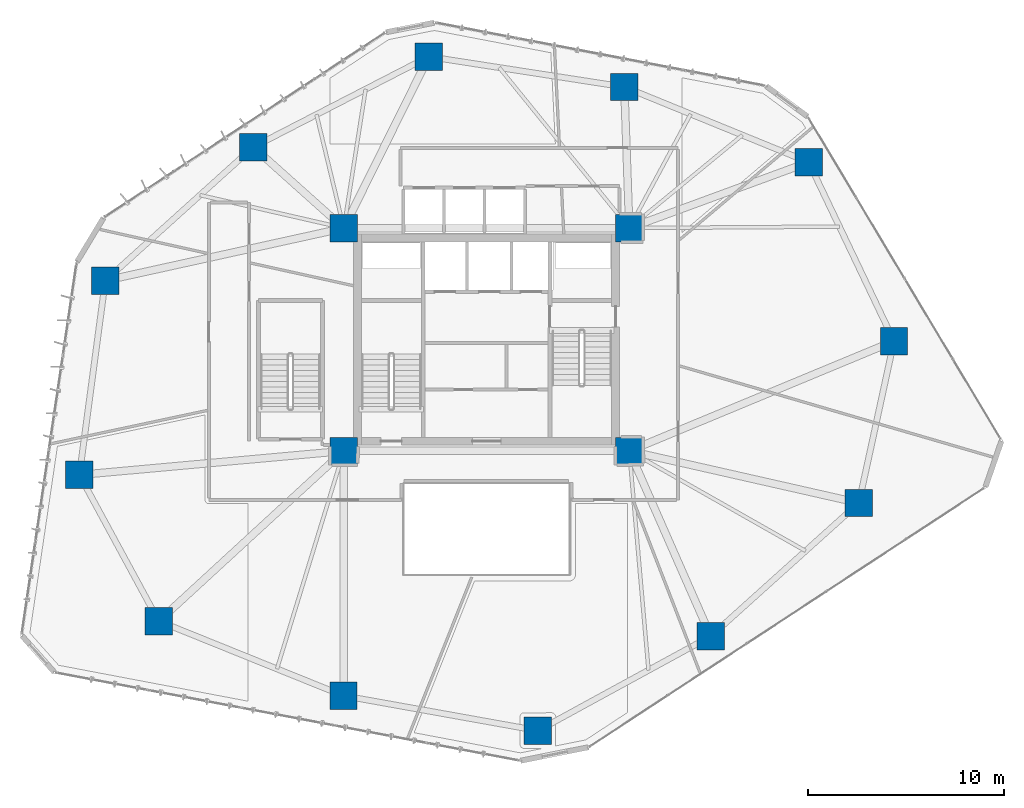
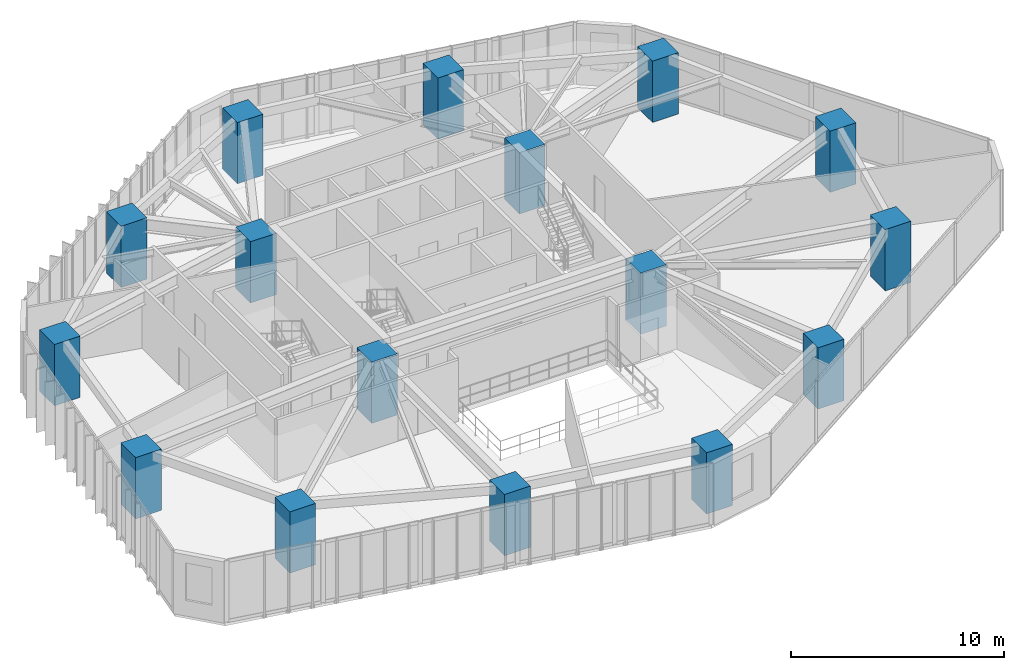
# One storey, part 1 of 20: 16 columns.
"""IFC4 building model written with IfcOpenShell, lengths in metres."""

from ifc_helpers import new_model, si_unit, direction, frame, origin, origin_2d, place, context, subcontext, project, spatial, rectangle, extrude, material, material_profile, profile_set, type_object, element, save


model = new_model("IFC4")

# Units and contexts
model_context = context("Model", 3, precision=1e-05, world=origin(), true_north=direction((0.0, 1.0)))
body_context = subcontext(model_context, "Body", "Model", "MODEL_VIEW")
ifc_project = project(units=[si_unit("LENGTHUNIT", "METRE"), si_unit("AREAUNIT", "SQUARE_METRE"), si_unit("VOLUMEUNIT", "CUBIC_METRE"), si_unit("PLANEANGLEUNIT", "RADIAN"), si_unit("MASSUNIT", "GRAM", prefix="KILO")], contexts=[model_context])

# Site, building, storey
site_placement = place(None, origin())
site = spatial("IfcSite", under=ifc_project, at=site_placement, CompositionType="ELEMENT")
building_placement = place(site_placement, origin())
building = spatial("IfcBuilding", under=site, at=building_placement, Name="Talar Marvaseh", CompositionType="ELEMENT")
storey_placement = place(building_placement, frame((0.0, 0.0, 58.199951171875)))
storey = spatial("IfcBuildingStorey", under=building, at=storey_placement, Name="L14", CompositionType="ELEMENT", Elevation=58.199951171875)

# Columns
ifc_material = material(Name="Concrete C70/85", Category="concrete")
ifc_material_profile = material_profile(ifc_material, rectangle(XDim=1.39990234375, YDim=1.39990234375, at=origin_2d()), Name="RC1400x1400")
ifc_profile_set = profile_set([ifc_material_profile], Name="Concrete C70/85")
column_type = type_object("IfcColumnType", Name="Zone 1 Tube Column RC1400x1400", PredefinedType="COLUMN", material=ifc_profile_set)
for number, where, z_axis, x_axis, name in (
    (1, (42.47705078125, 40.26904296875, 0.0), (0.0, 0.0, 1.0), (1.0, 0.0, 0.0), "L14 Zone 1 Tube Column RC1400x1400"),
    (2, (46.841064453125, 31.118896484375, 0.0), (0.0, 0.0, 1.0), (1.0, 0.0, 0.0), "L14 Zone 1 Tube Column RC1400x1400"),
    (3, (45.0439453125, 22.840087890625, 0.0), (0.0, 0.0, 1.0), (1.0, 0.0, 0.0), "L14 Zone 1 Tube Column RC1400x1400"),
    (4, (37.468017578125, 16.02099609375, 0.0), (0.0, 0.0, 1.0), (1.0, 0.0, 0.0), "L14 Zone 1 Tube Column RC1400x1400"),
    (5, (28.625, 11.195068359375, 0.0), (0.0, 0.0, 1.0), (1.0, 0.0, 0.0), "L14 Zone 1 Tube Column RC1400x1400"),
    (6, (18.68310546875, 12.97900390625, 0.0), (0.0, 0.0, 1.0), (1.0, 0.0, 0.0), "L14 Zone 1 Tube Column RC1400x1400"),
    (7, (9.23193359375, 16.7958984375, 0.0), (0.0, 0.0, 1.0), (1.0, 0.0, 0.0), "L14 Zone 1 Tube Column RC1400x1400"),
    (8, (5.175048828125, 24.27587890625, 0.0), (0.0, 0.0, 1.0), (1.0, 0.0, 0.0), "L14 Zone 1 Tube Column RC1400x1400"),
    (9, (6.501953125, 34.214111328125, 0.0), (0.0, 0.0, 1.0), (1.0, 0.0, 0.0), "L14 Zone 1 Tube Column RC1400x1400"),
    (10, (14.069091796875, 41.04296875, 0.0), (0.0, 0.0, 1.0), (1.0, 0.0, 0.0), "L14 Zone 1 Tube Column RC1400x1400"),
    (11, (23.047119140625, 45.6669921875, 0.0), (0.0, 0.0, 1.0), (1.0, 0.0, 0.0), "L14 Zone 1 Tube Column RC1400x1400"),
    (12, (33.0458984375, 44.117919921875, 0.0), (0.0, 0.0, 1.0), (1.0, 0.0, 0.0), "L14 Zone 1 Tube Column RC1400x1400"),
    (13, (18.699951171875, 25.5, 0.0), (0.0, 0.0, 1.0), (1.0, 0.0, 0.0), "L14 Zone 1 Tube Column RC1400x1400"),
    (14, (33.300048828125, 25.5, 0.0), (0.0, 0.0, 1.0), (1.0, 0.0, 0.0), "L14 Zone 1 Tube Column RC1400x1400"),
    (15, (33.300048828125, 36.89990234375, 0.0), (0.0, 0.0, 1.0), (1.0, 0.0, 0.0), "L14 Zone 1 Tube Column RC1400x1400"),
    (16, (18.699951171875, 36.89990234375, 0.0), (0.0, 0.0, 1.0), (1.0, 0.0, 0.0), "L14 Zone 1 Tube Column RC1400x1400"),
):
    element("IfcColumn", number, at=place(storey_placement, frame(where, z_axis=z_axis, x_axis=x_axis)), inside=storey, type_object=column_type, Name=name, PredefinedType="COLUMN", context=body_context, shape_type="SweptSolid", body=[
        extrude(rectangle(XDim=1.39990234375, YDim=1.39990234375, at=origin_2d()), origin(), (0.0, 0.0, 1.0), 3.52001953125),
    ])

save(model, "model.ifc")
